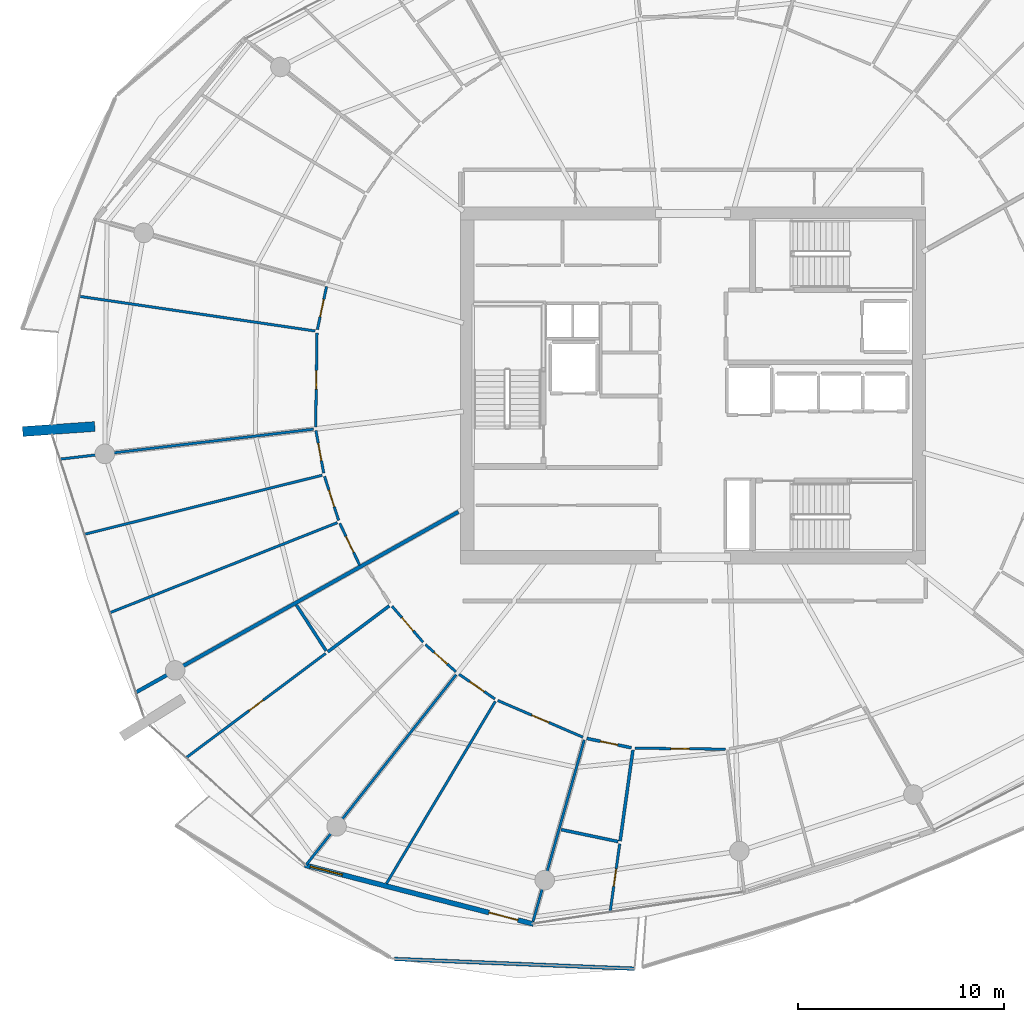
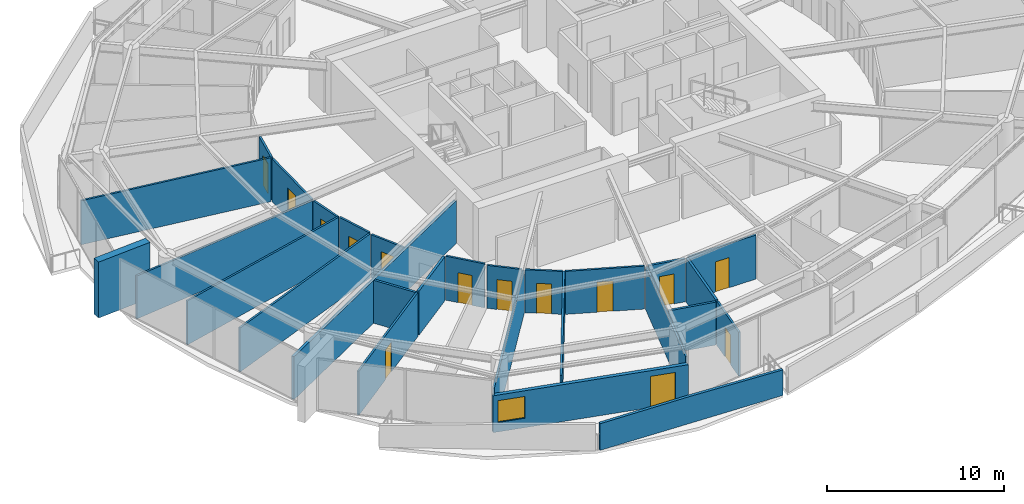
# One storey, part 19 of 31: 28 walls, 14 doors, 1 window, 15 openings.
"""IFC4 building model written with IfcOpenShell, lengths in metres."""

from ifc_helpers import new_model, si_unit, direction, frame, frame_2d, origin, place, context, subcontext, project, spatial, polyline, rectangle, outline, extrude, material, layer, layer_set, type_object, element, fill, save


model = new_model("IFC4")

# Units and contexts
model_context = context("Model", 3, precision=1e-05, world=origin(), true_north=direction((0.0, 1.0)))
body_context = subcontext(model_context, "Body", "Model", "MODEL_VIEW")
ifc_project = project(units=[si_unit("LENGTHUNIT", "METRE"), si_unit("AREAUNIT", "SQUARE_METRE"), si_unit("VOLUMEUNIT", "CUBIC_METRE"), si_unit("PLANEANGLEUNIT", "RADIAN"), si_unit("MASSUNIT", "GRAM", prefix="KILO")], contexts=[model_context])

# Site, building, storey
site_placement = place(None, origin())
site = spatial("IfcSite", under=ifc_project, at=site_placement, CompositionType="ELEMENT")
building_placement = place(site_placement, origin())
building = spatial("IfcBuilding", under=site, at=building_placement, Name="Kazma Halo Residences", CompositionType="ELEMENT")
storey_placement = place(building_placement, frame((0.0, 0.0, 240.550048828125)))
storey = spatial("IfcBuildingStorey", under=building, at=storey_placement, Name="L60", CompositionType="ELEMENT", Elevation=240.550048828125)

# Walls
ifc_material_1 = material(Name="White Concrete C50/60 Balustrade", Category="concrete")
ifc_layer_1 = layer(ifc_material_1, 0.179931640625)
ifc_layer_set_1 = layer_set([ifc_layer_1], Name="White Concrete C50/60 Balustrade")
wall_type_1 = type_object("IfcWallType", Name="WL-BAL-WAVE-180", PredefinedType="PARAPET", material=ifc_layer_set_1)
wall_1_placement = place(storey_placement, frame((33.958740234375, 14.2021484375, 0.0), z_axis=(0.0, 0.0, 1.0), x_axis=(0.999178647834, -0.040521965797, 0.0)))
element("IfcWall", 1, at=wall_1_placement, inside=storey, type_object=wall_type_1, Name="L60 white wave balustrade wall SW.2", PredefinedType="PARAPET", context=body_context, shape_type="SweptSolid", body=[
    extrude(outline(polyline([(0.0, 0.0), (11.652099609375, 0.0), (11.652099609375, 1.755859375), (5.826171875, 1.85302734375), (0.0, 1.83203125), (0.0, 0.0)])), frame((0.0, 0.08984375, 0.0), z_axis=(0.0, -1.0, 0.0), x_axis=(1.0, 0.0, 0.0)), (0.0, 0.0, 1.0), 0.179931640625),
])
ifc_material_2 = material(Name="Pale Concrete C60/75", Category="concrete")
ifc_layer_2 = layer(ifc_material_2, 0.47998046875)
ifc_layer_set_2 = layer_set([ifc_layer_2], Name="Pale Concrete C60/75")
wall_type_2 = type_object("IfcWallType", Name="WL-BLADE-480", PredefinedType="SOLIDWALL", material=ifc_layer_set_2)
wall_2_placement = place(storey_placement, frame((19.4375, 40.002685546875, 0.0), z_axis=(0.0, 0.0, 1.0), x_axis=(-0.997563824095, -0.069759707979, 0.0)))
element("IfcWall", 2, at=wall_2_placement, inside=storey, type_object=wall_type_2, Name="L60 pale concrete structural blade fin wall BW-02", PredefinedType="SOLIDWALL", context=body_context, shape_type="SweptSolid", body=[
    extrude(rectangle(XDim=3.499755859375, YDim=0.47998046875, at=frame_2d((1.75, 0.0))), origin(), (0.0, 0.0, 1.0), 3.849853515625),
])
ifc_material_3 = material(Name="Acoustic Twin-Stud Gypsum")
ifc_layer_3 = layer(ifc_material_3, 0.179931640625)
ifc_layer_set_3 = layer_set([ifc_layer_3], Name="Acoustic Twin-Stud Gypsum")
wall_type_3 = type_object("IfcWallType", Name="WL-DEM-180", PredefinedType="PARTITIONING", material=ifc_layer_set_3)
wall_3_placement = place(storey_placement, frame((37.053955078125, 35.8701171875, 0.0), z_axis=(0.0, 0.0, 1.0), x_axis=(-0.872490186067, -0.488631635506, 0.0)))
element("IfcWall", 3, at=wall_3_placement, inside=storey, type_object=wall_type_3, Name="L60 apartment demising radial wall 08", PredefinedType="PARTITIONING", context=body_context, shape_type="SweptSolid", body=[
    extrude(rectangle(XDim=17.88427734375, YDim=0.179931640625, at=frame_2d((8.942138671875, 0.0))), origin(), (0.0, 0.0, 1.0), 2.95703125),
])

# Wall, openings, door, window
ifc_material_4 = material(Name="Insulated Pale-Metal Composite Wall")
ifc_layer_4 = layer(ifc_material_4, 0.239990234375)
ifc_layer_set_4 = layer_set([ifc_layer_4], Name="Insulated Pale-Metal Composite Wall")
wall_type_4 = type_object("IfcWallType", Name="WL-EXT-HOST-240", PredefinedType="SOLIDWALL", material=ifc_layer_set_4)
wall_4_placement = place(storey_placement, frame((29.613525390625, 18.7509765625, 0.0), z_axis=(0.0, 0.0, 1.0), x_axis=(0.968343758421, -0.249620442927, 0.0)))
wall_4 = element("IfcWall", 4, at=wall_4_placement, inside=storey, type_object=wall_type_4, Name="L60 exterior terrace-access wall B10", PredefinedType="SOLIDWALL", context=body_context, shape_type="SweptSolid", body=[
    extrude(rectangle(XDim=11.438232421875, YDim=0.239990234375, at=frame_2d((5.71923828125, 0.0))), origin(), (0.0, 0.0, 1.0), 2.5400390625),
])
opening_1_placement = place(wall_4_placement, frame((9.21826171875, 0.0, 0.0)))
opening_1 = element("IfcOpeningElement", 5, at=opening_1_placement, cuts=wall_4, Name="Opening DTR-1600", PredefinedType="OPENING", context=body_context, shape_type="SweptSolid", body=[
    extrude(rectangle(XDim=1.449951171875, YDim=2.14990234375, at=frame_2d((0.72509765625, 1.074951171875))), frame((0.0, 0.1298828125, 0.0), z_axis=(0.0, -1.0, 0.0), x_axis=(1.0, 0.0, 0.0)), (0.0, 0.0, 1.0), 0.260009765625),
])
opening_2_placement = place(wall_4_placement, frame((0.280029296875, 0.0, 0.64990234375)))
opening_2 = element("IfcOpeningElement", 6, at=opening_2_placement, cuts=wall_4, Name="Opening W-1800", PredefinedType="OPENING", context=body_context, shape_type="SweptSolid", body=[
    extrude(rectangle(XDim=1.60009765625, YDim=1.5, at=frame_2d((0.800048828125, 0.75))), frame((0.0, 0.1298828125, 0.0), z_axis=(0.0, -1.0, 0.0), x_axis=(1.0, 0.0, 0.0)), (0.0, 0.0, 1.0), 0.260009765625),
])
ifc_material_5 = material(Name="Aluminium AW-6063 T6 Double-Glazed Terrace Door", Category="aluminium")
door_type_1 = type_object("IfcDoorType", Name="DR-EXT-TERR-1600", OperationType="NOTDEFINED", PredefinedType="DOOR", material=ifc_material_5)
door_1_placement = place(opening_1_placement, origin())
door_1 = element("IfcDoor", 7, at=door_1_placement, inside=storey, type_object=door_type_1, Name="L60 B10 balcony terrace door", OperationType="DOUBLE_DOOR_SLIDING", OverallHeight=2.14990234375, OverallWidth=1.449951171875, PredefinedType="DOOR", context=body_context, shape_type="SweptSolid", body=[
    extrude(rectangle(XDim=1.449951171875, YDim=2.14990234375, at=frame_2d((0.72509765625, 1.074951171875))), frame((0.0, 0.02490234375, 0.0), z_axis=(0.0, -1.0, 0.0), x_axis=(1.0, 0.0, 0.0)), (0.0, 0.0, 1.0), 0.050048828125),
])
fill(opening_1, door_1)
ifc_material_6 = material(Name="Clear Triple-Silver Low-E Glass in Aluminium AW-6063 T6 Frame", Category="aluminium")
window_type = type_object("IfcWindowType", Name="WIN-RES-1800", PartitioningType="DOUBLE_PANEL_VERTICAL", PredefinedType="WINDOW", material=ifc_material_6)
window_placement = place(opening_2_placement, origin())
window = element("IfcWindow", 8, at=window_placement, inside=storey, type_object=window_type, Name="L60 B10 apartment window", OverallHeight=1.5, OverallWidth=1.60009765625, PartitioningType="SINGLE_PANEL", PredefinedType="WINDOW", context=body_context, shape_type="SweptSolid", body=[
    extrude(rectangle(XDim=1.60009765625, YDim=1.5, at=frame_2d((0.800048828125, 0.75))), frame((0.0, 0.030029296875, 0.0), z_axis=(0.0, -1.0, 0.0), x_axis=(1.0, 0.0, 0.0)), (0.0, 0.0, 1.0), 0.06005859375),
])
fill(opening_2, window)

# Wall
ifc_material_7 = material(Name="Gypsum Plasterboard Partition")
ifc_layer_5 = layer(ifc_material_7, 0.125)
ifc_layer_set_5 = layer_set([ifc_layer_5], Name="Gypsum Plasterboard Partition")
wall_type_5 = type_object("IfcWallType", Name="WL-PART-125", PredefinedType="PARTITIONING", material=ifc_layer_set_5)
wall_5_placement = place(storey_placement, frame((30.115478515625, 44.63134765625, 0.0), z_axis=(0.0, 0.0, 1.0), x_axis=(-0.989347020715, 0.145576346298, 0.0)))
element("IfcWall", 9, at=wall_5_placement, inside=storey, type_object=wall_type_5, Name="L60 Apartment 1 mid-bay wall 6", PredefinedType="PARTITIONING", context=body_context, shape_type="SweptSolid", body=[
    extrude(rectangle(XDim=11.521484375, YDim=0.125, at=frame_2d((5.7607421875, 0.0))), origin(), (0.0, 0.0, 1.0), 3.030029296875),
])

# Wall, opening, door
wall_6_placement = place(storey_placement, frame((30.66748046875, 46.78466796875, 0.0), z_axis=(0.0, 0.0, 1.0), x_axis=(-0.209005902588, -0.977914379014, 0.0)))
wall_6 = element("IfcWall", 10, at=wall_6_placement, inside=storey, type_object=wall_type_5, Name="L60 Apartment 1 Secondary Wine Pantry Store hall wall", PredefinedType="PARTITIONING", context=body_context, shape_type="SweptSolid", body=[
    extrude(rectangle(XDim=2.13525390625, YDim=0.125, at=frame_2d((1.067626953125, 0.0))), origin(), (0.0, 0.0, 1.0), 2.95703125),
])
opening_3_placement = place(wall_6_placement, frame((0.642578125, 0.0, 0.0)))
opening_3 = element("IfcOpeningElement", 11, at=opening_3_placement, cuts=wall_6, Name="Opening DB-900", PredefinedType="OPENING", context=body_context, shape_type="SweptSolid", body=[
    extrude(rectangle(XDim=0.85009765625, YDim=2.06005859375, at=frame_2d((0.425048828125, 1.030029296875))), frame((0.0, 0.072509765625, 0.0), z_axis=(0.0, -1.0, 0.0), x_axis=(1.0, 0.0, 0.0)), (0.0, 0.0, 1.0), 0.14501953125),
])
ifc_material_8 = material(Name="Moisture-Sealed Timber Leaf", Category="wood")
door_type_2 = type_object("IfcDoorType", Name="DR-BTH-900", OperationType="NOTDEFINED", PredefinedType="DOOR", material=ifc_material_8)
door_2_placement = place(opening_3_placement, origin())
door_2 = element("IfcDoor", 12, at=door_2_placement, inside=storey, type_object=door_type_2, Name="L60 Apartment 1 Secondary Wine Pantry Store door", OperationType="SINGLE_SWING_LEFT", OverallHeight=2.06005859375, OverallWidth=0.85009765625, PredefinedType="DOOR", context=body_context, shape_type="SweptSolid", body=[
    extrude(rectangle(XDim=0.85009765625, YDim=2.06005859375, at=frame_2d((0.425048828125, 1.030029296875))), frame((0.0, 0.02490234375, 0.0), z_axis=(0.0, -1.0, 0.0), x_axis=(1.0, 0.0, 0.0)), (0.0, 0.0, 1.0), 0.050048828125),
])
fill(opening_3, door_2)

wall_7_placement = place(storey_placement, frame((30.20361328125, 44.538330078125, 0.0), z_axis=(0.0, 0.0, 1.0), x_axis=(-0.014156354672, -0.999899793791, 0.0)))
wall_7 = element("IfcWall", 13, at=wall_7_placement, inside=storey, type_object=wall_type_5, Name="L60 Apartment 1 East Formal Dining Room hall wall", PredefinedType="PARTITIONING", context=body_context, shape_type="SweptSolid", body=[
    extrude(rectangle(XDim=4.552978515625, YDim=0.125, at=frame_2d((2.2763671875, 0.0))), origin(), (0.0, 0.0, 1.0), 2.95703125),
])
opening_4_placement = place(wall_7_placement, frame((1.826416015625, 0.0, 0.0)))
opening_4 = element("IfcOpeningElement", 14, at=opening_4_placement, cuts=wall_7, Name="Opening DI-950", PredefinedType="OPENING", context=body_context, shape_type="SweptSolid", body=[
    extrude(rectangle(XDim=0.89990234375, YDim=2.080078125, at=frame_2d((0.449951171875, 1.0400390625))), frame((0.0, 0.072509765625, 0.0), z_axis=(0.0, -1.0, 0.0), x_axis=(1.0, 0.0, 0.0)), (0.0, 0.0, 1.0), 0.14501953125),
])
ifc_material_9 = material(Name="Timber Veneer Flush Leaf", Category="wood")
door_type_3 = type_object("IfcDoorType", Name="DR-INT-950", OperationType="NOTDEFINED", PredefinedType="DOOR", material=ifc_material_9)
door_3_placement = place(opening_4_placement, origin())
door_3 = element("IfcDoor", 15, at=door_3_placement, inside=storey, type_object=door_type_3, Name="L60 Apartment 1 East Formal Dining Room door", OperationType="SINGLE_SWING_RIGHT", OverallHeight=2.080078125, OverallWidth=0.89990234375, PredefinedType="DOOR", context=body_context, shape_type="SweptSolid", body=[
    extrude(rectangle(XDim=0.89990234375, YDim=2.080078125, at=frame_2d((0.449951171875, 1.0400390625))), frame((0.0, 0.02490234375, 0.0), z_axis=(0.0, -1.0, 0.0), x_axis=(1.0, 0.0, 0.0)), (0.0, 0.0, 1.0), 0.050048828125),
])
fill(opening_4, door_3)

# Walls
wall_8_placement = place(storey_placement, frame((30.038330078125, 39.8740234375, 0.0), z_axis=(0.0, 0.0, 1.0), x_axis=(-0.993068810962, -0.117534406428, 0.0)))
element("IfcWall", 16, at=wall_8_placement, inside=storey, type_object=wall_type_5, Name="L60 Apartment 1 radial partition 7", PredefinedType="PARTITIONING", context=body_context, shape_type="SweptSolid", body=[
    extrude(rectangle(XDim=12.342529296875, YDim=0.125, at=frame_2d((6.17138671875, 0.0))), origin(), (0.0, 0.0, 1.0), 2.95703125),
])
wall_9_placement = place(storey_placement, frame((30.456298828125, 37.64208984375, 0.0), z_axis=(0.0, 0.0, 1.0), x_axis=(-0.970505215381, -0.241080125513, 0.0)))
element("IfcWall", 17, at=wall_9_placement, inside=storey, type_object=wall_type_5, Name="L60 Apartment 1 bay wall 1 7", PredefinedType="PARTITIONING", context=body_context, shape_type="SweptSolid", body=[
    extrude(rectangle(XDim=11.842529296875, YDim=0.125, at=frame_2d((5.92138671875, 0.0))), origin(), (0.0, 0.0, 1.0), 3.030029296875),
])
wall_10_placement = place(storey_placement, frame((31.1923828125, 35.345458984375, 0.0), z_axis=(0.0, 0.0, 1.0), x_axis=(-0.929773642051, -0.368131735317, 0.0)))
element("IfcWall", 18, at=wall_10_placement, inside=storey, type_object=wall_type_5, Name="L60 Apartment 1 bay wall 2 7", PredefinedType="PARTITIONING", context=body_context, shape_type="SweptSolid", body=[
    extrude(rectangle(XDim=11.82666015625, YDim=0.125, at=frame_2d((5.913330078125, 0.0))), origin(), (0.0, 0.0, 1.0), 3.030029296875),
])

# Wall, opening, door
wall_11_placement = place(storey_placement, frame((30.152099609375, 39.80712890625, 0.0), z_axis=(0.0, 0.0, 1.0), x_axis=(0.179601937348, -0.983739367973, 0.0)))
wall_11 = element("IfcWall", 19, at=wall_11_placement, inside=storey, type_object=wall_type_5, Name="L60 Apartment 1 West Master Bedroom hall wall", PredefinedType="PARTITIONING", context=body_context, shape_type="SweptSolid", body=[
    extrude(rectangle(XDim=2.098876953125, YDim=0.125, at=frame_2d((1.04931640625, 0.0))), origin(), (0.0, 0.0, 1.0), 2.95703125),
])
opening_5_placement = place(wall_11_placement, frame((0.62451171875, 0.0, 0.0)))
opening_5 = element("IfcOpeningElement", 20, at=opening_5_placement, cuts=wall_11, Name="Opening DB-900", PredefinedType="OPENING", context=body_context, shape_type="SweptSolid", body=[
    extrude(rectangle(XDim=0.85009765625, YDim=2.06005859375, at=frame_2d((0.425048828125, 1.030029296875))), frame((0.0, 0.072509765625, 0.0), z_axis=(0.0, -1.0, 0.0), x_axis=(1.0, 0.0, 0.0)), (0.0, 0.0, 1.0), 0.14501953125),
])
door_4_placement = place(opening_5_placement, origin())
door_4 = element("IfcDoor", 21, at=door_4_placement, inside=storey, type_object=door_type_2, Name="L60 Apartment 1 West Master Bedroom door", OperationType="SINGLE_SWING_LEFT", OverallHeight=2.06005859375, OverallWidth=0.85009765625, PredefinedType="DOOR", context=body_context, shape_type="SweptSolid", body=[
    extrude(rectangle(XDim=0.85009765625, YDim=2.06005859375, at=frame_2d((0.425048828125, 1.030029296875))), frame((0.0, 0.02490234375, 0.0), z_axis=(0.0, -1.0, 0.0), x_axis=(1.0, 0.0, 0.0)), (0.0, 0.0, 1.0), 0.050048828125),
])
fill(opening_5, door_4)

wall_12_placement = place(storey_placement, frame((30.56787109375, 37.587646484375, 0.0), z_axis=(0.0, 0.0, 1.0), x_axis=(0.305285840617, -0.952260760254, 0.0)))
wall_12 = element("IfcWall", 22, at=wall_12_placement, inside=storey, type_object=wall_type_5, Name="L60 Apartment 1 North Dressing Wardrobe hall wall", PredefinedType="PARTITIONING", context=body_context, shape_type="SweptSolid", body=[
    extrude(rectangle(XDim=2.239990234375, YDim=0.125, at=frame_2d((1.1201171875, 0.0))), origin(), (0.0, 0.0, 1.0), 3.030029296875),
])
opening_6_placement = place(wall_12_placement, frame((0.69482421875, 0.0, 0.0)))
opening_6 = element("IfcOpeningElement", 23, at=opening_6_placement, cuts=wall_12, Name="Opening DB-900", PredefinedType="OPENING", context=body_context, shape_type="SweptSolid", body=[
    extrude(rectangle(XDim=0.85009765625, YDim=2.06005859375, at=frame_2d((0.425048828125, 1.030029296875))), frame((0.0, 0.072509765625, 0.0), z_axis=(0.0, -1.0, 0.0), x_axis=(1.0, 0.0, 0.0)), (0.0, 0.0, 1.0), 0.14501953125),
])
door_5_placement = place(opening_6_placement, origin())
door_5 = element("IfcDoor", 24, at=door_5_placement, inside=storey, type_object=door_type_2, Name="L60 Apartment 1 North Dressing Wardrobe door", OperationType="SINGLE_SWING_RIGHT", OverallHeight=2.06005859375, OverallWidth=0.85009765625, PredefinedType="DOOR", context=body_context, shape_type="SweptSolid", body=[
    extrude(rectangle(XDim=0.85009765625, YDim=2.06005859375, at=frame_2d((0.425048828125, 1.030029296875))), frame((0.0, 0.02490234375, 0.0), z_axis=(0.0, -1.0, 0.0), x_axis=(1.0, 0.0, 0.0)), (0.0, 0.0, 1.0), 0.050048828125),
])
fill(opening_6, door_5)

wall_13_placement = place(storey_placement, frame((31.310302734375, 35.30615234375, 0.0), z_axis=(0.0, 0.0, 1.0), x_axis=(0.429468098594, -0.903082029657, 0.0)))
wall_13 = element("IfcWall", 25, at=wall_13_placement, inside=storey, type_object=wall_type_5, Name="L60 Apartment 1 South Master Bedroom hall wall", PredefinedType="PARTITIONING", context=body_context, shape_type="SweptSolid", body=[
    extrude(rectangle(XDim=2.23974609375, YDim=0.125, at=frame_2d((1.119873046875, 0.0))), origin(), (0.0, 0.0, 1.0), 2.95703125),
])
opening_7_placement = place(wall_13_placement, frame((0.69482421875, 0.0, 0.0)))
opening_7 = element("IfcOpeningElement", 26, at=opening_7_placement, cuts=wall_13, Name="Opening DB-900", PredefinedType="OPENING", context=body_context, shape_type="SweptSolid", body=[
    extrude(rectangle(XDim=0.85009765625, YDim=2.06005859375, at=frame_2d((0.425048828125, 1.030029296875))), frame((0.0, 0.072509765625, 0.0), z_axis=(0.0, -1.0, 0.0), x_axis=(1.0, 0.0, 0.0)), (0.0, 0.0, 1.0), 0.14501953125),
])
door_6_placement = place(opening_7_placement, origin())
door_6 = element("IfcDoor", 27, at=door_6_placement, inside=storey, type_object=door_type_2, Name="L60 Apartment 1 South Master Bedroom door", OperationType="SINGLE_SWING_LEFT", OverallHeight=2.06005859375, OverallWidth=0.85009765625, PredefinedType="DOOR", context=body_context, shape_type="SweptSolid", body=[
    extrude(rectangle(XDim=0.85009765625, YDim=2.06005859375, at=frame_2d((0.425048828125, 1.030029296875))), frame((0.0, 0.02490234375, 0.0), z_axis=(0.0, -1.0, 0.0), x_axis=(1.0, 0.0, 0.0)), (0.0, 0.0, 1.0), 0.050048828125),
])
fill(opening_7, door_6)

wall_14_placement = place(storey_placement, frame((30.623779296875, 29.0068359375, 0.0), z_axis=(0.0, 0.0, 1.0), x_axis=(-0.800861586428, -0.598849496437, 0.0)))
wall_14 = element("IfcWall", 28, at=wall_14_placement, inside=storey, type_object=wall_type_5, Name="L60 Apartment 2 Utility Laundry Room partition wall", PredefinedType="PARTITIONING", context=body_context, shape_type="SweptSolid", body=[
    extrude(rectangle(XDim=8.4248046875, YDim=0.125, at=frame_2d((4.21240234375, 0.0))), origin(), (0.0, 0.0, 1.0), 3.030029296875),
])
opening_8_placement = place(wall_14_placement, frame((3.787353515625, 0.0, 0.0)))
opening_8 = element("IfcOpeningElement", 29, at=opening_8_placement, cuts=wall_14, Name="Opening DB-900", PredefinedType="OPENING", context=body_context, shape_type="SweptSolid", body=[
    extrude(rectangle(XDim=0.85009765625, YDim=2.06005859375, at=frame_2d((0.425048828125, 1.030029296875))), frame((0.0, 0.072509765625, 0.0), z_axis=(0.0, -1.0, 0.0), x_axis=(1.0, 0.0, 0.0)), (0.0, 0.0, 1.0), 0.14501953125),
])
door_7_placement = place(opening_8_placement, origin())
door_7 = element("IfcDoor", 30, at=door_7_placement, inside=storey, type_object=door_type_2, Name="L60 Apartment 2 Utility Laundry Room door", OperationType="SINGLE_SWING_RIGHT", OverallHeight=2.06005859375, OverallWidth=0.85009765625, PredefinedType="DOOR", context=body_context, shape_type="SweptSolid", body=[
    extrude(rectangle(XDim=0.85009765625, YDim=2.06005859375, at=frame_2d((0.425048828125, 1.030029296875))), frame((0.0, 0.02490234375, 0.0), z_axis=(0.0, -1.0, 0.0), x_axis=(1.0, 0.0, 0.0)), (0.0, 0.0, 1.0), 0.050048828125),
])
fill(opening_8, door_7)

wall_15_placement = place(storey_placement, frame((33.837890625, 31.298095703125, 0.0), z_axis=(0.0, 0.0, 1.0), x_axis=(0.653278423857, -0.757117758954, 0.0)))
wall_15 = element("IfcWall", 31, at=wall_15_placement, inside=storey, type_object=wall_type_5, Name="L60 Apartment 2 Gourmet Kitchen hall wall", PredefinedType="PARTITIONING", context=body_context, shape_type="SweptSolid", body=[
    extrude(rectangle(XDim=2.308837890625, YDim=0.125, at=frame_2d((1.154296875, 0.0))), origin(), (0.0, 0.0, 1.0), 3.030029296875),
])
opening_9_placement = place(wall_15_placement, frame((0.7294921875, 0.0, 0.0)))
opening_9 = element("IfcOpeningElement", 32, at=opening_9_placement, cuts=wall_15, Name="Opening DB-900", PredefinedType="OPENING", context=body_context, shape_type="SweptSolid", body=[
    extrude(rectangle(XDim=0.85009765625, YDim=2.06005859375, at=frame_2d((0.425048828125, 1.030029296875))), frame((0.0, 0.072509765625, 0.0), z_axis=(0.0, -1.0, 0.0), x_axis=(1.0, 0.0, 0.0)), (0.0, 0.0, 1.0), 0.14501953125),
])
door_8_placement = place(opening_9_placement, origin())
door_8 = element("IfcDoor", 33, at=door_8_placement, inside=storey, type_object=door_type_2, Name="L60 Apartment 2 Gourmet Kitchen door", OperationType="SINGLE_SWING_LEFT", OverallHeight=2.06005859375, OverallWidth=0.85009765625, PredefinedType="DOOR", context=body_context, shape_type="SweptSolid", body=[
    extrude(rectangle(XDim=0.85009765625, YDim=2.06005859375, at=frame_2d((0.425048828125, 1.030029296875))), frame((0.0, 0.02490234375, 0.0), z_axis=(0.0, -1.0, 0.0), x_axis=(1.0, 0.0, 0.0)), (0.0, 0.0, 1.0), 0.050048828125),
])
fill(opening_9, door_8)

wall_16_placement = place(storey_placement, frame((35.458251953125, 29.436279296875, 0.0), z_axis=(0.0, 0.0, 1.0), x_axis=(0.746255603185, -0.665659503586, 0.0)))
wall_16 = element("IfcWall", 34, at=wall_16_placement, inside=storey, type_object=wall_type_5, Name="L60 Apartment 2 Primary Bedroom hall wall", PredefinedType="PARTITIONING", context=body_context, shape_type="SweptSolid", body=[
    extrude(rectangle(XDim=1.97509765625, YDim=0.125, at=frame_2d((0.987548828125, 0.0))), origin(), (0.0, 0.0, 1.0), 2.95703125),
])
opening_10_placement = place(wall_16_placement, frame((0.5625, 0.0, 0.0)))
opening_10 = element("IfcOpeningElement", 35, at=opening_10_placement, cuts=wall_16, Name="Opening DB-900", PredefinedType="OPENING", context=body_context, shape_type="SweptSolid", body=[
    extrude(rectangle(XDim=0.85009765625, YDim=2.06005859375, at=frame_2d((0.425048828125, 1.030029296875))), frame((0.0, 0.072509765625, 0.0), z_axis=(0.0, -1.0, 0.0), x_axis=(1.0, 0.0, 0.0)), (0.0, 0.0, 1.0), 0.14501953125),
])
door_9_placement = place(opening_10_placement, origin())
door_9 = element("IfcDoor", 36, at=door_9_placement, inside=storey, type_object=door_type_2, Name="L60 Apartment 2 Primary Bedroom door", OperationType="SINGLE_SWING_RIGHT", OverallHeight=2.06005859375, OverallWidth=0.85009765625, PredefinedType="DOOR", context=body_context, shape_type="SweptSolid", body=[
    extrude(rectangle(XDim=0.85009765625, YDim=2.06005859375, at=frame_2d((0.425048828125, 1.030029296875))), frame((0.0, 0.02490234375, 0.0), z_axis=(0.0, -1.0, 0.0), x_axis=(1.0, 0.0, 0.0)), (0.0, 0.0, 1.0), 0.050048828125),
])
fill(opening_10, door_9)

# Walls
wall_17_placement = place(storey_placement, frame((36.94482421875, 27.9765625, 0.0), z_axis=(0.0, 0.0, 1.0), x_axis=(-0.619096573209, -0.785314862358, 0.0)))
element("IfcWall", 37, at=wall_17_placement, inside=storey, type_object=wall_type_5, Name="L60 Apartment 2 radial partition 9", PredefinedType="PARTITIONING", context=body_context, shape_type="SweptSolid", body=[
    extrude(rectangle(XDim=11.738525390625, YDim=0.125, at=frame_2d((5.869140625, 0.0))), origin(), (0.0, 0.0, 1.0), 2.95703125),
])
wall_18_placement = place(storey_placement, frame((38.8427734375, 26.681396484375, 0.0), z_axis=(0.0, 0.0, 1.0), x_axis=(-0.513080899873, -0.858340253154, 0.0)))
element("IfcWall", 38, at=wall_18_placement, inside=storey, type_object=wall_type_5, Name="L60 Apartment 2 mid-bay wall 9", PredefinedType="PARTITIONING", context=body_context, shape_type="SweptSolid", body=[
    extrude(rectangle(XDim=10.2822265625, YDim=0.125, at=frame_2d((5.14111328125, 0.0))), origin(), (0.0, 0.0, 1.0), 3.030029296875),
])

# Wall, opening, door
wall_19_placement = place(storey_placement, frame((37.089111328125, 27.998291015625, 0.0), z_axis=(0.0, 0.0, 1.0), x_axis=(0.823534084839, -0.567266790063, 0.0)))
wall_19 = element("IfcWall", 39, at=wall_19_placement, inside=storey, type_object=wall_type_5, Name="L60 Apartment 2 East Wine Pantry Store hall wall", PredefinedType="PARTITIONING", context=body_context, shape_type="SweptSolid", body=[
    extrude(rectangle(XDim=2.10546875, YDim=0.125, at=frame_2d((1.052734375, 0.0))), origin(), (0.0, 0.0, 1.0), 2.95703125),
])
opening_11_placement = place(wall_19_placement, frame((0.627685546875, 0.0, 0.0)))
opening_11 = element("IfcOpeningElement", 40, at=opening_11_placement, cuts=wall_19, Name="Opening DB-900", PredefinedType="OPENING", context=body_context, shape_type="SweptSolid", body=[
    extrude(rectangle(XDim=0.85009765625, YDim=2.06005859375, at=frame_2d((0.425048828125, 1.030029296875))), frame((0.0, 0.072509765625, 0.0), z_axis=(0.0, -1.0, 0.0), x_axis=(1.0, 0.0, 0.0)), (0.0, 0.0, 1.0), 0.14501953125),
])
door_10_placement = place(opening_11_placement, origin())
door_10 = element("IfcDoor", 41, at=door_10_placement, inside=storey, type_object=door_type_2, Name="L60 Apartment 2 East Wine Pantry Store door", OperationType="SINGLE_SWING_RIGHT", OverallHeight=2.06005859375, OverallWidth=0.85009765625, PredefinedType="DOOR", context=body_context, shape_type="SweptSolid", body=[
    extrude(rectangle(XDim=0.85009765625, YDim=2.06005859375, at=frame_2d((0.425048828125, 1.030029296875))), frame((0.0, 0.02490234375, 0.0), z_axis=(0.0, -1.0, 0.0), x_axis=(1.0, 0.0, 0.0)), (0.0, 0.0, 1.0), 0.050048828125),
])
fill(opening_11, door_10)

wall_20_placement = place(storey_placement, frame((38.96240234375, 26.726806640625, 0.0), z_axis=(0.0, 0.0, 1.0), x_axis=(0.918384361194, -0.395689480671, 0.0)))
wall_20 = element("IfcWall", 42, at=wall_20_placement, inside=storey, type_object=wall_type_5, Name="L60 Apartment 2 West Formal Dining Room hall wall", PredefinedType="PARTITIONING", context=body_context, shape_type="SweptSolid", body=[
    extrude(rectangle(XDim=4.492431640625, YDim=0.125, at=frame_2d((2.24609375, 0.0))), origin(), (0.0, 0.0, 1.0), 2.95703125),
])
opening_12_placement = place(wall_20_placement, frame((1.796142578125, 0.0, 0.0)))
opening_12 = element("IfcOpeningElement", 43, at=opening_12_placement, cuts=wall_20, Name="Opening DI-950", PredefinedType="OPENING", context=body_context, shape_type="SweptSolid", body=[
    extrude(rectangle(XDim=0.89990234375, YDim=2.080078125, at=frame_2d((0.449951171875, 1.0400390625))), frame((0.0, 0.072509765625, 0.0), z_axis=(0.0, -1.0, 0.0), x_axis=(1.0, 0.0, 0.0)), (0.0, 0.0, 1.0), 0.14501953125),
])
door_11_placement = place(opening_12_placement, origin())
door_11 = element("IfcDoor", 44, at=door_11_placement, inside=storey, type_object=door_type_3, Name="L60 Apartment 2 West Formal Dining Room door", OperationType="SINGLE_SWING_LEFT", OverallHeight=2.080078125, OverallWidth=0.89990234375, PredefinedType="DOOR", context=body_context, shape_type="SweptSolid", body=[
    extrude(rectangle(XDim=0.89990234375, YDim=2.080078125, at=frame_2d((0.449951171875, 1.0400390625))), frame((0.0, 0.02490234375, 0.0), z_axis=(0.0, -1.0, 0.0), x_axis=(1.0, 0.0, 0.0)), (0.0, 0.0, 1.0), 0.050048828125),
])
fill(opening_12, door_11)

# Wall
wall_21_placement = place(storey_placement, frame((43.15283203125, 24.8134765625, 0.0), z_axis=(0.0, 0.0, 1.0), x_axis=(-0.271434117828, -0.96245702225, 0.0)))
element("IfcWall", 45, at=wall_21_placement, inside=storey, type_object=wall_type_5, Name="L60 Apartment 2 radial partition 10", PredefinedType="PARTITIONING", context=body_context, shape_type="SweptSolid", body=[
    extrude(rectangle(XDim=9.127685546875, YDim=0.125, at=frame_2d((4.56396484375, 0.0))), origin(), (0.0, 0.0, 1.0), 2.95703125),
])

# Wall, opening, door
wall_22_placement = place(storey_placement, frame((44.87353515625, 19.781982421875, 0.0), z_axis=(0.0, 0.0, 1.0), x_axis=(-0.139348495216, -0.990243402846, 0.0)))
wall_22 = element("IfcWall", 46, at=wall_22_placement, inside=storey, type_object=wall_type_5, Name="L60 Apartment 2 South Walk-In Wardrobe partition wall", PredefinedType="PARTITIONING", context=body_context, shape_type="SweptSolid", body=[
    extrude(rectangle(XDim=3.314697265625, YDim=0.125, at=frame_2d((1.6572265625, 0.0))), origin(), (0.0, 0.0, 1.0), 3.030029296875),
])
opening_13_placement = place(wall_22_placement, frame((1.232421875, 0.0, 0.0)))
opening_13 = element("IfcOpeningElement", 47, at=opening_13_placement, cuts=wall_22, Name="Opening DB-900", PredefinedType="OPENING", context=body_context, shape_type="SweptSolid", body=[
    extrude(rectangle(XDim=0.85009765625, YDim=2.06005859375, at=frame_2d((0.425048828125, 1.030029296875))), frame((0.0, 0.072509765625, 0.0), z_axis=(0.0, -1.0, 0.0), x_axis=(1.0, 0.0, 0.0)), (0.0, 0.0, 1.0), 0.14501953125),
])
door_12_placement = place(opening_13_placement, origin())
door_12 = element("IfcDoor", 48, at=door_12_placement, inside=storey, type_object=door_type_2, Name="L60 Apartment 2 South Walk-In Wardrobe door", OperationType="SINGLE_SWING_RIGHT", OverallHeight=2.06005859375, OverallWidth=0.85009765625, PredefinedType="DOOR", context=body_context, shape_type="SweptSolid", body=[
    extrude(rectangle(XDim=0.85009765625, YDim=2.06005859375, at=frame_2d((0.425048828125, 1.030029296875))), frame((0.0, 0.02490234375, 0.0), z_axis=(0.0, -1.0, 0.0), x_axis=(1.0, 0.0, 0.0)), (0.0, 0.0, 1.0), 0.050048828125),
])
fill(opening_13, door_12)

wall_23_placement = place(storey_placement, frame((45.615478515625, 24.415283203125, 0.0), z_axis=(0.0, 0.0, 1.0), x_axis=(0.999939484605, -0.011001233021, 0.0)))
wall_23 = element("IfcWall", 49, at=wall_23_placement, inside=storey, type_object=wall_type_5, Name="L60 Apartment 2 Inner Master Bedroom hall wall", PredefinedType="PARTITIONING", context=body_context, shape_type="SweptSolid", body=[
    extrude(rectangle(XDim=4.371826171875, YDim=0.125, at=frame_2d((2.18603515625, 0.0))), origin(), (0.0, 0.0, 1.0), 3.030029296875),
])
opening_14_placement = place(wall_23_placement, frame((1.73583984375, 0.0, 0.0)))
opening_14 = element("IfcOpeningElement", 50, at=opening_14_placement, cuts=wall_23, Name="Opening DI-950", PredefinedType="OPENING", context=body_context, shape_type="SweptSolid", body=[
    extrude(rectangle(XDim=0.89990234375, YDim=2.080078125, at=frame_2d((0.449951171875, 1.0400390625))), frame((0.0, 0.072509765625, 0.0), z_axis=(0.0, -1.0, 0.0), x_axis=(1.0, 0.0, 0.0)), (0.0, 0.0, 1.0), 0.14501953125),
])
door_13_placement = place(opening_14_placement, origin())
door_13 = element("IfcDoor", 51, at=door_13_placement, inside=storey, type_object=door_type_3, Name="L60 Apartment 2 Inner Master Bedroom door", OperationType="SINGLE_SWING_LEFT", OverallHeight=2.080078125, OverallWidth=0.89990234375, PredefinedType="DOOR", context=body_context, shape_type="SweptSolid", body=[
    extrude(rectangle(XDim=0.89990234375, YDim=2.080078125, at=frame_2d((0.449951171875, 1.0400390625))), frame((0.0, 0.02490234375, 0.0), z_axis=(0.0, -1.0, 0.0), x_axis=(1.0, 0.0, 0.0)), (0.0, 0.0, 1.0), 0.050048828125),
])
fill(opening_14, door_13)

# Walls
ifc_material_10 = material(Name="Moisture-Resistant Gypsum")
ifc_layer_6 = layer(ifc_material_10, 0.14990234375)
ifc_layer_set_6 = layer_set([ifc_layer_6], Name="Moisture-Resistant Gypsum")
wall_type_6 = type_object("IfcWallType", Name="WL-WET-150", PredefinedType="PARTITIONING", material=ifc_layer_set_6)
wall_24_placement = place(storey_placement, frame((29.202392578125, 31.358642578125, 0.0), z_axis=(0.0, 0.0, 1.0), x_axis=(0.544926834082, -0.838483598825, 0.0)))
element("IfcWall", 52, at=wall_24_placement, inside=storey, type_object=wall_type_6, Name="L60 Apartment 2 Guest Bathroom back wall", PredefinedType="PARTITIONING", context=body_context, shape_type="SweptSolid", body=[
    extrude(rectangle(XDim=2.650634765625, YDim=0.14990234375, at=frame_2d((1.3251953125, 0.0))), origin(), (0.0, 0.0, 1.0), 2.95703125),
])
wall_25_placement = place(storey_placement, frame((33.70703125, 31.312255859375, 0.0), z_axis=(0.0, 0.0, 1.0), x_axis=(-0.800889069655, -0.598812740435, 0.0)))
element("IfcWall", 53, at=wall_25_placement, inside=storey, type_object=wall_type_6, Name="L60 Apartment 2 Guest Bathroom side wall", PredefinedType="PARTITIONING", context=body_context, shape_type="SweptSolid", body=[
    extrude(rectangle(XDim=3.719970703125, YDim=0.14990234375, at=frame_2d((1.85986328125, 0.0))), origin(), (0.0, 0.0, 1.0), 3.030029296875),
])

# Wall, opening, door
wall_26_placement = place(storey_placement, frame((43.27783203125, 24.88916015625, 0.0), z_axis=(0.0, 0.0, 1.0), x_axis=(0.978579118273, -0.205871098701, 0.0)))
wall_26 = element("IfcWall", 54, at=wall_26_placement, inside=storey, type_object=wall_type_6, Name="L60 Apartment 2 North En-Suite Bathroom hall wall", PredefinedType="PARTITIONING", context=body_context, shape_type="SweptSolid", body=[
    extrude(rectangle(XDim=2.20703125, YDim=0.14990234375, at=frame_2d((1.103515625, 0.0))), origin(), (0.0, 0.0, 1.0), 2.95703125),
])
opening_15_placement = place(wall_26_placement, frame((0.678466796875, 0.0, 0.0)))
opening_15 = element("IfcOpeningElement", 55, at=opening_15_placement, cuts=wall_26, Name="Opening DB-900", PredefinedType="OPENING", context=body_context, shape_type="SweptSolid", body=[
    extrude(rectangle(XDim=0.85009765625, YDim=2.06005859375, at=frame_2d((0.425048828125, 1.030029296875))), frame((0.0, 0.0849609375, 0.0), z_axis=(0.0, -1.0, 0.0), x_axis=(1.0, 0.0, 0.0)), (0.0, 0.0, 1.0), 0.169921875),
])
door_14_placement = place(opening_15_placement, origin())
door_14 = element("IfcDoor", 56, at=door_14_placement, inside=storey, type_object=door_type_2, Name="L60 Apartment 2 North En-Suite Bathroom door", OperationType="SINGLE_SWING_LEFT", OverallHeight=2.06005859375, OverallWidth=0.85009765625, PredefinedType="DOOR", context=body_context, shape_type="SweptSolid", body=[
    extrude(rectangle(XDim=0.85009765625, YDim=2.06005859375, at=frame_2d((0.425048828125, 1.030029296875))), frame((0.0, 0.02490234375, 0.0), z_axis=(0.0, -1.0, 0.0), x_axis=(1.0, 0.0, 0.0)), (0.0, 0.0, 1.0), 0.050048828125),
])
fill(opening_15, door_14)

# Walls
wall_27_placement = place(storey_placement, frame((42.031982421875, 20.471435546875, 0.0), z_axis=(0.0, 0.0, 1.0), x_axis=(0.978568110508, -0.20592341561, 0.0)))
element("IfcWall", 57, at=wall_27_placement, inside=storey, type_object=wall_type_6, Name="L60 Apartment 2 North En-Suite Bathroom back wall", PredefinedType="PARTITIONING", context=body_context, shape_type="SweptSolid", body=[
    extrude(rectangle(XDim=2.826416015625, YDim=0.14990234375, at=frame_2d((1.4130859375, 0.0))), origin(), (0.0, 0.0, 1.0), 2.95703125),
])
wall_28_placement = place(storey_placement, frame((45.51318359375, 24.3271484375, 0.0), z_axis=(0.0, 0.0, 1.0), x_axis=(-0.139367219172, -0.990240767804, 0.0)))
element("IfcWall", 58, at=wall_28_placement, inside=storey, type_object=wall_type_6, Name="L60 Apartment 2 North En-Suite Bathroom side wall", PredefinedType="PARTITIONING", context=body_context, shape_type="SweptSolid", body=[
    extrude(rectangle(XDim=4.4599609375, YDim=0.14990234375, at=frame_2d((2.22998046875, 0.0))), origin(), (0.0, 0.0, 1.0), 3.030029296875),
])

save(model, "model.ifc")
